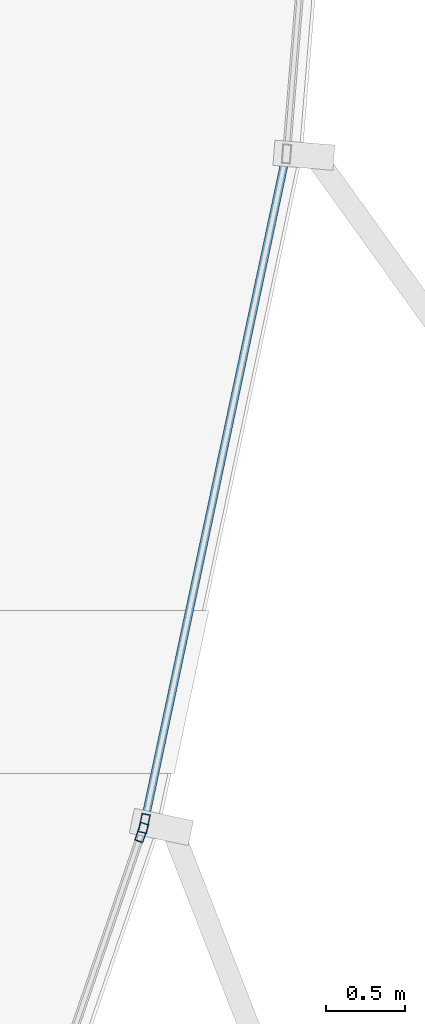
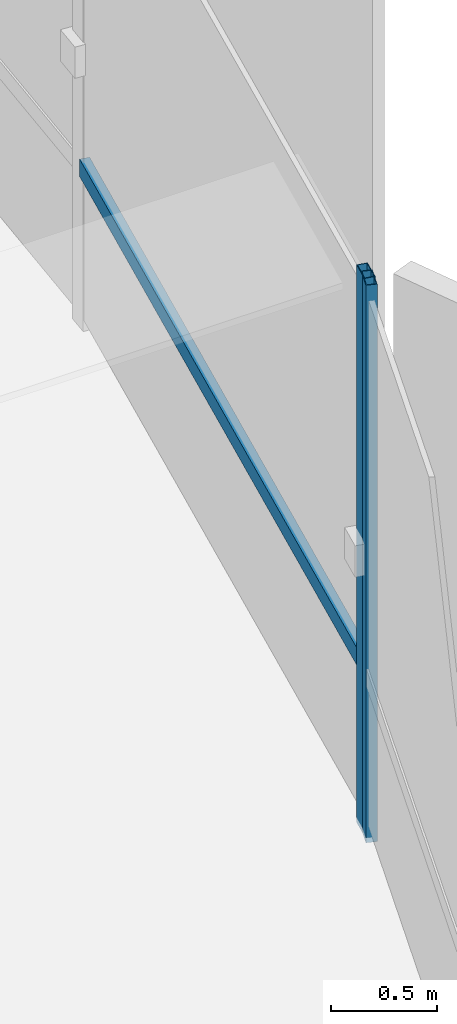
# One storey, part 16 of 35: 3 members, 2 elements without a shape of their own.
"""IFC4 building model written with IfcOpenShell, lengths in metres."""

from ifc_helpers import new_model, si_unit, direction, frame, origin, origin_2d, place, context, subcontext, project, spatial, hollow_rectangle, extrude, source, transform, mapped, material, layer, layer_set, material_profile, profile_set, type_object, element, aggregate, save


model = new_model("IFC4")

# Units and contexts
model_context = context("Model", 3, precision=1e-05, world=origin(), true_north=direction((0.0, 1.0)))
body_context = subcontext(model_context, "Body", "Model", "MODEL_VIEW")
ifc_project = project(units=[si_unit("LENGTHUNIT", "METRE"), si_unit("AREAUNIT", "SQUARE_METRE"), si_unit("VOLUMEUNIT", "CUBIC_METRE"), si_unit("PLANEANGLEUNIT", "RADIAN"), si_unit("MASSUNIT", "GRAM", prefix="KILO"), si_unit("THERMODYNAMICTEMPERATUREUNIT", "KELVIN")], contexts=[model_context])

# Site, building, storey
site_placement = place(None, origin())
site = spatial("IfcSite", under=ifc_project, at=site_placement, CompositionType="ELEMENT")
building_placement = place(site_placement, origin())
building = spatial("IfcBuilding", under=site, at=building_placement, Name="Kethvar Cultural Tower", CompositionType="ELEMENT")
storey_placement = place(building_placement, frame((0.0, 0.0, 245.64990234375)))
storey = spatial("IfcBuildingStorey", under=building, at=storey_placement, Name="L64", CompositionType="ELEMENT", Elevation=245.64990234375)

# Curtain wall, member
ifc_material = material(Name="Aluminium 6063-T6", Category="aluminium")
ifc_layer = layer(ifc_material, 0.179931640625, Name="Aluminium 6063-T6", Category="aluminium")
ifc_layer_set = layer_set([ifc_layer], Name="Aluminium 6063-T6 (180 mm)")
curtain_wall_type = type_object("IfcCurtainWallType", Name="CW-SYS-05-Z56", PredefinedType="NOTDEFINED", material=ifc_layer_set)
curtain_wall_1_placement = place(storey_placement, origin())
curtain_wall_1 = element("IfcCurtainWall", 1, at=curtain_wall_1_placement, inside=storey, type_object=curtain_wall_type, Name="L64 Curtain Wall Run 05", PredefinedType="NOTDEFINED")
ifc_material_profile_1 = material_profile(ifc_material, hollow_rectangle(XDim=0.054931640625, YDim=0.1201171875, WallThickness=0.00390625, at=origin_2d()), Name="Aluminium 6063-T6 — RHS120x55x4")
ifc_profile_set_1 = profile_set([ifc_material_profile_1], Name="Aluminium 6063-T6 — RHS120x55x4")
member_type_1 = type_object("IfcMemberType", Name="CW-SYS-05-Z56-MUL", PredefinedType="MULLION", material=ifc_profile_set_1)
shared_shape_1 = source(origin(), body_context, "Body", "SweptSolid", [
    extrude(hollow_rectangle(XDim=0.054931640625, YDim=0.1201171875, WallThickness=0.00390625, at=origin_2d()), origin(), (0.0, 0.0, 1.0), 3.210205078125),
])
member_1_placement = place(storey_placement, frame((67.2509765625, 27.427978515625, 0.0), z_axis=(0.0, 0.0, 1.0), x_axis=(-0.945926949949, 0.324379724027, 0.0)))
member_1 = element("IfcMember", 2, at=member_1_placement, type_object=member_type_1, Name="CW-L64-R05 Mullion 7", PredefinedType="MULLION", context=body_context, shape_type="MappedRepresentation", body=[
    mapped(shared_shape_1, transform((0.0, 0.0, 0.0), scale=1.0)),
])
aggregate(curtain_wall_1, [member_1])

# Curtain wall, members
curtain_wall_2_placement = place(storey_placement, origin())
curtain_wall_2 = element("IfcCurtainWall", 3, at=curtain_wall_2_placement, inside=storey, type_object=curtain_wall_type, Name="L64 Curtain Wall Run 06", PredefinedType="NOTDEFINED")
member_2_placement = place(storey_placement, frame((67.2666015625, 27.485107421875, 0.0), z_axis=(0.0, 0.0, 1.0), x_axis=(-0.978205622491, 0.207638532375, 0.0)))
member_2 = element("IfcMember", 4, at=member_2_placement, type_object=member_type_1, Name="CW-L64-R06 Mullion 1", PredefinedType="MULLION", context=body_context, shape_type="MappedRepresentation", body=[
    mapped(shared_shape_1, transform((0.0, 0.0, 0.0), scale=1.0)),
])
ifc_material_profile_2 = material_profile(ifc_material, hollow_rectangle(XDim=0.050048828125, YDim=0.10009765625, WallThickness=0.00390625, at=origin_2d()), Name="Aluminium 6063-T6 — RHS100x50x4")
ifc_profile_set_2 = profile_set([ifc_material_profile_2], Name="Aluminium 6063-T6 — RHS100x50x4")
member_type_2 = type_object("IfcMemberType", Name="CW-SYS-05-Z56-TRN", PredefinedType="USERDEFINED", material=ifc_profile_set_2)
shared_shape_2 = source(origin(), body_context, "Body", "SweptSolid", [
    extrude(hollow_rectangle(XDim=0.050048828125, YDim=0.10009765625, WallThickness=0.00390625, at=origin_2d()), origin(), (0.0, 0.0, 1.0), 4.287109375),
])
member_3_placement = place(storey_placement, frame((67.267578125, 27.489013671875, 0.9501953125), z_axis=(0.207634667891, 0.978206442777, 0.0), x_axis=(-0.978206442777, 0.207634667891, 0.0)))
member_3 = element("IfcMember", 5, at=member_3_placement, type_object=member_type_2, Name="CW-L64-R06 Transom 1", ObjectType="TRANSOM", PredefinedType="USERDEFINED", context=body_context, shape_type="MappedRepresentation", body=[
    mapped(shared_shape_2, transform((0.0, 0.0, 0.0), scale=1.0)),
])
aggregate(curtain_wall_2, [member_2, member_3])

save(model, "model.ifc")
